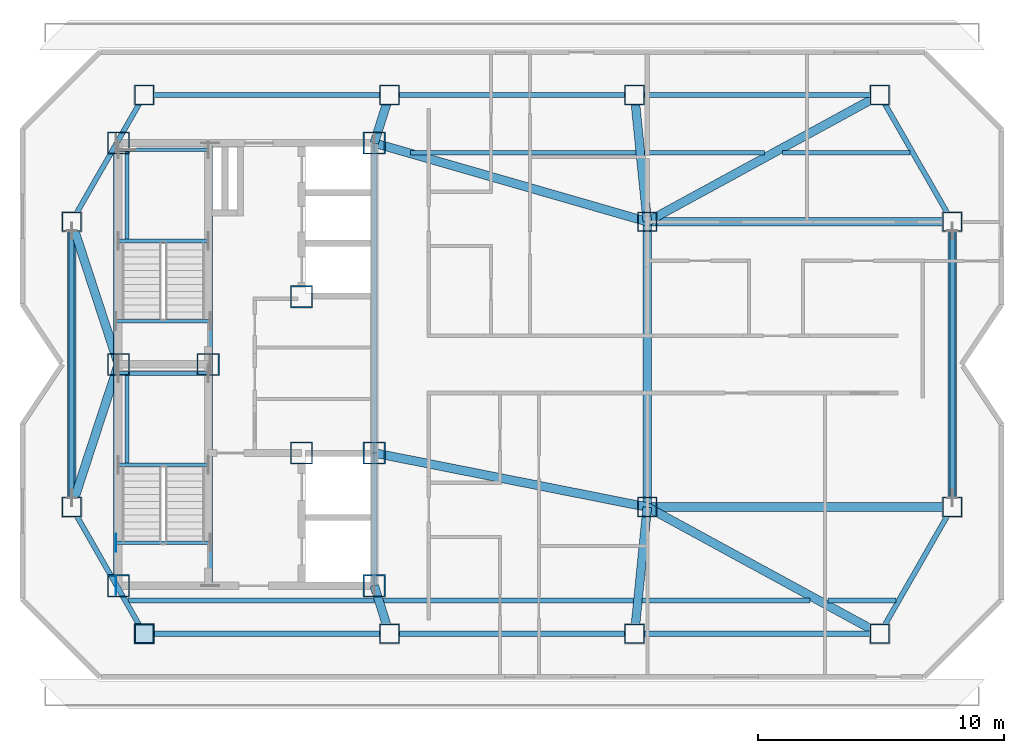
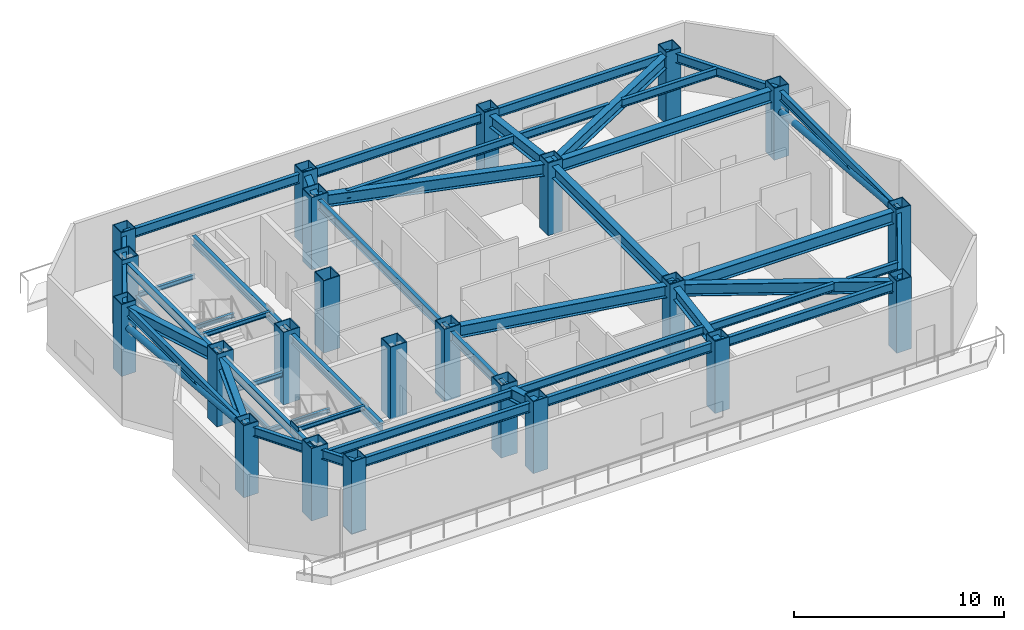
# One storey, part 1 of 12: 46 beams, 23 columns, 3 plates, 2 members.
"""IFC4 building model written with IfcOpenShell, lengths in metres."""

from ifc_helpers import new_model, si_unit, direction, frame, origin, origin_2d, place, context, subcontext, project, spatial, rectangle, hollow_rectangle, hollow_circle, i_section, extrude, material, layer, layer_set, material_profile, profile_set, type_object, element, save


model = new_model("IFC4")

# Units and contexts
model_context = context("Model", 3, precision=1e-05, world=origin(), true_north=direction((0.0, 1.0)))
body_context = subcontext(model_context, "Body", "Model", "MODEL_VIEW")
ifc_project = project(units=[si_unit("LENGTHUNIT", "METRE"), si_unit("AREAUNIT", "SQUARE_METRE"), si_unit("VOLUMEUNIT", "CUBIC_METRE"), si_unit("PLANEANGLEUNIT", "RADIAN"), si_unit("MASSUNIT", "GRAM", prefix="KILO")], contexts=[model_context])

# Site, building, storey
site_placement = place(None, origin())
site = spatial("IfcSite", under=ifc_project, at=site_placement, CompositionType="ELEMENT")
building_placement = place(site_placement, origin())
building = spatial("IfcBuilding", under=site, at=building_placement, Name="Khamvora Tower", CompositionType="ELEMENT")
storey_placement = place(building_placement, frame((0.0, 0.0, 286.25)))
storey = spatial("IfcBuildingStorey", under=building, at=storey_placement, Name="L73", CompositionType="ELEMENT", Elevation=286.25)

# Columns
ifc_material_1 = material(Name="Steel S355", Category="steel")
ifc_material_profile_1 = material_profile(ifc_material_1, hollow_rectangle(XDim=0.800048828125, YDim=0.800048828125, WallThickness=0.0400390625, at=origin_2d()), Name="BOX800x800x40")
ifc_profile_set_1 = profile_set([ifc_material_profile_1], Name="Steel S355")
column_type_1 = type_object("IfcColumnType", Name="COL-BOX800", PredefinedType="COLUMN", material=ifc_profile_set_1)
for number, where, z_axis, x_axis, name in (
    (1, (30.050048828125, 17.050048828125, 0.02490234375), (0.0, 0.0, 1.0), (1.0, 0.0, 0.0), "L73 structural frame column S1"),
    (2, (40.01708984375, 17.050048828125, 0.02490234375), (0.0, 0.0, 1.0), (1.0, 0.0, 0.0), "L73 structural frame column S2"),
    (3, (49.98291015625, 17.050048828125, 0.02490234375), (0.0, 0.0, 1.0), (1.0, 0.0, 0.0), "L73 structural frame column S3"),
    (4, (59.949951171875, 17.050048828125, 0.02490234375), (0.0, 0.0, 1.0), (1.0, 0.0, 0.0), "L73 structural frame column S4"),
    (5, (30.050048828125, 38.949951171875, 0.02490234375), (0.0, 0.0, 1.0), (1.0, 0.0, 0.0), "L73 structural frame column N1"),
    (6, (40.01708984375, 38.949951171875, 0.02490234375), (0.0, 0.0, 1.0), (1.0, 0.0, 0.0), "L73 structural frame column N2"),
    (7, (49.98291015625, 38.949951171875, 0.02490234375), (0.0, 0.0, 1.0), (1.0, 0.0, 0.0), "L73 structural frame column N3"),
    (8, (59.949951171875, 38.949951171875, 0.02490234375), (0.0, 0.0, 1.0), (1.0, 0.0, 0.0), "L73 structural frame column N4"),
    (9, (27.10009765625, 22.199951171875, 0.02490234375), (0.0, 0.0, 1.0), (1.0, 0.0, 0.0), "L73 structural frame column W1"),
    (10, (27.10009765625, 33.800048828125, 0.02490234375), (0.0, 0.0, 1.0), (1.0, 0.0, 0.0), "L73 structural frame column W2"),
    (11, (62.89990234375, 22.199951171875, 0.02490234375), (0.0, 0.0, 1.0), (1.0, 0.0, 0.0), "L73 structural frame column E1"),
    (12, (62.89990234375, 33.800048828125, 0.02490234375), (0.0, 0.0, 1.0), (1.0, 0.0, 0.0), "L73 structural frame column E2"),
):
    element("IfcColumn", number, at=place(storey_placement, frame(where, z_axis=z_axis, x_axis=x_axis)), inside=storey, type_object=column_type_1, Name=name, PredefinedType="COLUMN", context=body_context, shape_type="SweptSolid", body=[
        extrude(hollow_rectangle(XDim=0.800048828125, YDim=0.800048828125, WallThickness=0.0400390625, at=origin_2d()), origin(), (0.0, 0.0, 1.0), 4.175048828125),
    ])
for number, where, z_axis, x_axis, name in (
    (13, (50.5, 22.199951171875, 0.0), (0.0, 0.0, 1.0), (1.0, 0.0, 0.0), "L73 structural frame column M1"),
    (14, (50.5, 33.800048828125, 0.0), (0.0, 0.0, 1.0), (1.0, 0.0, 0.0), "L73 structural frame column M2"),
):
    element("IfcColumn", number, at=place(storey_placement, frame(where, z_axis=z_axis, x_axis=x_axis)), inside=storey, type_object=column_type_1, Name=name, PredefinedType="COLUMN", context=body_context, shape_type="SweptSolid", body=[
        extrude(hollow_rectangle(XDim=0.800048828125, YDim=0.800048828125, WallThickness=0.0400390625, at=origin_2d()), origin(), (0.0, 0.0, 1.0), 4.199951171875),
    ])
ifc_material_2 = material(Name="Structural Steel S460ML", Category="steel")
ifc_material_profile_2 = material_profile(ifc_material_2, hollow_rectangle(XDim=0.89990234375, YDim=0.89990234375, WallThickness=0.044921875, at=origin_2d()), Name="BOX900x900x45")
ifc_profile_set_2 = profile_set([ifc_material_profile_2], Name="Structural Steel S460ML")
column_type_2 = type_object("IfcColumnType", Name="COL-SC-BOX900", PredefinedType="COLUMN", material=ifc_profile_set_2)
for number, where, z_axis, x_axis, name in (
    (15, (29.0, 19.0, 0.0), (0.0, 0.0, 1.0), (1.0, 0.0, 0.0), "L73 plumb core spine column SC1"),
    (16, (32.64990234375, 28.0, 0.0), (0.0, 0.0, 1.0), (1.0, 0.0, 0.0), "L73 plumb core spine column SC2"),
    (17, (39.39990234375, 19.0, 0.0), (0.0, 0.0, 1.0), (1.0, 0.0, 0.0), "L73 plumb core spine column SC3"),
    (18, (29.0, 28.0, 0.0), (0.0, 0.0, 1.0), (1.0, 0.0, 0.0), "L73 plumb core spine column SC4"),
    (19, (36.449951171875, 24.39990234375, 0.0), (0.0, 0.0, 1.0), (1.0, 0.0, 0.0), "L73 plumb core spine column SC5"),
    (20, (39.39990234375, 24.39990234375, 0.0), (0.0, 0.0, 1.0), (1.0, 0.0, 0.0), "L73 plumb core spine column SC6"),
    (21, (29.0, 37.0, 0.0), (0.0, 0.0, 1.0), (1.0, 0.0, 0.0), "L73 plumb core spine column SC7"),
    (22, (36.449951171875, 30.75, 0.0), (0.0, 0.0, 1.0), (1.0, 0.0, 0.0), "L73 plumb core spine column SC8"),
    (23, (39.39990234375, 37.0, 0.0), (0.0, 0.0, 1.0), (1.0, 0.0, 0.0), "L73 plumb core spine column SC9"),
):
    element("IfcColumn", number, at=place(storey_placement, frame(where, z_axis=z_axis, x_axis=x_axis)), inside=storey, type_object=column_type_2, Name=name, PredefinedType="COLUMN", context=body_context, shape_type="SweptSolid", body=[
        extrude(hollow_rectangle(XDim=0.89990234375, YDim=0.89990234375, WallThickness=0.044921875, at=origin_2d()), origin(), (0.0, 0.0, 1.0), 4.199951171875),
    ])

# Beams
ifc_material_profile_3 = material_profile(ifc_material_1, i_section(OverallWidth=0.19189453125, OverallDepth=0.462890625, WebThickness=0.010986328125, FlangeThickness=0.01806640625, FilletRadius=0.011962890625, at=origin_2d()), Name="W460x89")
ifc_profile_set_3 = profile_set([ifc_material_profile_3], Name="Steel S355")
beam_type_1 = type_object("IfcBeamType", Name="BM-JS-W460x89", PredefinedType="JOIST", material=ifc_profile_set_3)
beam_1_placement = place(storey_placement, frame((29.39208984375, 18.39990234375, 3.718994140625), z_axis=(1.0, 0.0, 0.0), x_axis=(0.0, 1.0, 0.0)))
element("IfcBeam", 24, at=beam_1_placement, inside=storey, type_object=beam_type_1, Name="L73 secondary floor joist 01", PredefinedType="JOIST", context=body_context, shape_type="SweptSolid", body=[
    extrude(i_section(OverallWidth=0.19189453125, OverallDepth=0.462890625, WebThickness=0.010986328125, FlangeThickness=0.01806640625, FilletRadius=0.011962890625, at=origin_2d()), origin(), (0.0, 0.0, 1.0), 10.016845703125),
])
beam_2_placement = place(storey_placement, frame((39.77099609375, 18.39990234375, 3.718994140625), z_axis=(1.0, 0.0, 0.0), x_axis=(0.0, 1.0, 0.0)))
element("IfcBeam", 25, at=beam_2_placement, inside=storey, type_object=beam_type_1, Name="L73 secondary floor joist 02", PredefinedType="JOIST", context=body_context, shape_type="SweptSolid", body=[
    extrude(i_section(OverallWidth=0.19189453125, OverallDepth=0.462890625, WebThickness=0.010986328125, FlangeThickness=0.01806640625, FilletRadius=0.011962890625, at=origin_2d()), origin(), (0.0, 0.0, 1.0), 10.174072265625),
])
beam_3_placement = place(storey_placement, frame((50.2919921875, 18.39990234375, 3.718994140625), z_axis=(1.0, 0.0, 0.0), x_axis=(0.0, 1.0, 0.0)))
element("IfcBeam", 26, at=beam_3_placement, inside=storey, type_object=beam_type_1, Name="L73 secondary floor joist 03", PredefinedType="JOIST", context=body_context, shape_type="SweptSolid", body=[
    extrude(i_section(OverallWidth=0.19189453125, OverallDepth=0.462890625, WebThickness=0.010986328125, FlangeThickness=0.01806640625, FilletRadius=0.011962890625, at=origin_2d()), origin(), (0.0, 0.0, 1.0), 6.81494140625),
])
beam_4_placement = place(storey_placement, frame((57.839111328125, 18.39990234375, 3.718994140625), z_axis=(1.0, 0.0, 0.0), x_axis=(0.0, 1.0, 0.0)))
element("IfcBeam", 27, at=beam_4_placement, inside=storey, type_object=beam_type_1, Name="L73 secondary floor joist 04", PredefinedType="JOIST", context=body_context, shape_type="SweptSolid", body=[
    extrude(i_section(OverallWidth=0.19189453125, OverallDepth=0.462890625, WebThickness=0.010986328125, FlangeThickness=0.01806640625, FilletRadius=0.011962890625, at=origin_2d()), origin(), (0.0, 0.0, 1.0), 2.768798828125),
])
beam_5_placement = place(storey_placement, frame((40.882080078125, 36.60009765625, 3.718994140625), z_axis=(1.0, 0.0, 0.0), x_axis=(0.0, 1.0, 0.0)))
element("IfcBeam", 28, at=beam_5_placement, inside=storey, type_object=beam_type_1, Name="L73 secondary floor joist 05", PredefinedType="JOIST", context=body_context, shape_type="SweptSolid", body=[
    extrude(i_section(OverallWidth=0.19189453125, OverallDepth=0.462890625, WebThickness=0.010986328125, FlangeThickness=0.01806640625, FilletRadius=0.011962890625, at=origin_2d()), origin(), (0.0, 0.0, 1.0), 9.163818359375),
])
beam_6_placement = place(storey_placement, frame((50.39208984375, 36.60009765625, 3.718994140625), z_axis=(1.0, 0.0, 0.0), x_axis=(0.0, 1.0, 0.0)))
element("IfcBeam", 29, at=beam_6_placement, inside=storey, type_object=beam_type_1, Name="L73 secondary floor joist 06", PredefinedType="JOIST", context=body_context, shape_type="SweptSolid", body=[
    extrude(i_section(OverallWidth=0.19189453125, OverallDepth=0.462890625, WebThickness=0.010986328125, FlangeThickness=0.01806640625, FilletRadius=0.011962890625, at=origin_2d()), origin(), (0.0, 0.0, 1.0), 4.8798828125),
])
beam_7_placement = place(storey_placement, frame((56.00390625, 36.60009765625, 3.718994140625), z_axis=(1.0, 0.0, 0.0), x_axis=(0.0, 1.0, 0.0)))
element("IfcBeam", 30, at=beam_7_placement, inside=storey, type_object=beam_type_1, Name="L73 secondary floor joist 07", PredefinedType="JOIST", context=body_context, shape_type="SweptSolid", body=[
    extrude(i_section(OverallWidth=0.19189453125, OverallDepth=0.462890625, WebThickness=0.010986328125, FlangeThickness=0.01806640625, FilletRadius=0.011962890625, at=origin_2d()), origin(), (0.0, 0.0, 1.0), 5.177001953125),
])
ifc_material_profile_4 = material_profile(ifc_material_1, i_section(OverallWidth=0.14697265625, OverallDepth=0.261962890625, WebThickness=0.007080078125, FlangeThickness=0.010986328125, FilletRadius=0.008056640625, at=origin_2d()), Name="W250x39")
ifc_profile_set_4 = profile_set([ifc_material_profile_4], Name="Steel S355")
beam_type_2 = type_object("IfcBeamType", Name="BM-LN-W250x39", PredefinedType="LINTEL", material=ifc_profile_set_4)
for number, where, z_axis, x_axis, name in (
    (31, (29.0, 23.9150390625, 1.76904296875), (1.0, 0.0, 0.0), (0.0, 1.0, 0.0), "L73 ST-01 half-landing support beam 1.1"),
    (32, (29.0, 27.6298828125, 1.76904296875), (1.0, 0.0, 0.0), (0.0, 1.0, 0.0), "L73 ST-01 half-landing support beam 1.2"),
):
    element("IfcBeam", number, at=place(storey_placement, frame(where, z_axis=z_axis, x_axis=x_axis)), inside=storey, type_object=beam_type_2, Name=name, PredefinedType="LINTEL", context=body_context, shape_type="SweptSolid", body=[
        extrude(i_section(OverallWidth=0.14697265625, OverallDepth=0.261962890625, WebThickness=0.007080078125, FlangeThickness=0.010986328125, FilletRadius=0.008056640625, at=origin_2d()), origin(), (0.0, 0.0, 1.0), 3.64990234375),
    ])
beam_8_placement = place(storey_placement, frame((29.35009765625, 23.9150390625, 1.76904296875), z_axis=(0.0, 1.0, 0.0), x_axis=(-1.0, 0.0, 0.0)))
element("IfcBeam", 33, at=beam_8_placement, inside=storey, type_object=beam_type_2, Name="L73 ST-01 half-landing edge stringer 1", PredefinedType="LINTEL", context=body_context, shape_type="SweptSolid", body=[
    extrude(i_section(OverallWidth=0.14697265625, OverallDepth=0.261962890625, WebThickness=0.007080078125, FlangeThickness=0.010986328125, FilletRadius=0.008056640625, at=origin_2d()), origin(), (0.0, 0.0, 1.0), 3.71484375),
])
for number, where, z_axis, x_axis, name in (
    (34, (29.0, 33.014892578125, 1.76904296875), (1.0, 0.0, 0.0), (0.0, 1.0, 0.0), "L73 ST-02 half-landing support beam 1.1"),
    (35, (29.0, 36.72998046875, 1.76904296875), (1.0, 0.0, 0.0), (0.0, 1.0, 0.0), "L73 ST-02 half-landing support beam 1.2"),
):
    element("IfcBeam", number, at=place(storey_placement, frame(where, z_axis=z_axis, x_axis=x_axis)), inside=storey, type_object=beam_type_2, Name=name, PredefinedType="LINTEL", context=body_context, shape_type="SweptSolid", body=[
        extrude(i_section(OverallWidth=0.14697265625, OverallDepth=0.261962890625, WebThickness=0.007080078125, FlangeThickness=0.010986328125, FilletRadius=0.008056640625, at=origin_2d()), origin(), (0.0, 0.0, 1.0), 3.64990234375),
    ])
beam_9_placement = place(storey_placement, frame((29.35009765625, 33.014892578125, 1.76904296875), z_axis=(0.0, 1.0, 0.0), x_axis=(-1.0, 0.0, 0.0)))
element("IfcBeam", 36, at=beam_9_placement, inside=storey, type_object=beam_type_2, Name="L73 ST-02 half-landing edge stringer 1", PredefinedType="LINTEL", context=body_context, shape_type="SweptSolid", body=[
    extrude(i_section(OverallWidth=0.14697265625, OverallDepth=0.261962890625, WebThickness=0.007080078125, FlangeThickness=0.010986328125, FilletRadius=0.008056640625, at=origin_2d()), origin(), (0.0, 0.0, 1.0), 3.715087890625),
])
for number, where, z_axis, x_axis, name in (
    (37, (28.89990234375, 20.75, 3.823974609375), (1.0, 0.0, 0.0), (0.0, 1.0, 0.0), "L73 exit stair ST-01 landing trimmer beam"),
    (38, (28.89990234375, 29.75, 3.823974609375), (1.0, 0.0, 0.0), (0.0, 1.0, 0.0), "L73 exit stair ST-02 landing trimmer beam"),
):
    element("IfcBeam", number, at=place(storey_placement, frame(where, z_axis=z_axis, x_axis=x_axis)), inside=storey, type_object=beam_type_2, Name=name, PredefinedType="LINTEL", context=body_context, shape_type="SweptSolid", body=[
        extrude(i_section(OverallWidth=0.14697265625, OverallDepth=0.261962890625, WebThickness=0.007080078125, FlangeThickness=0.010986328125, FilletRadius=0.008056640625, at=origin_2d()), origin(), (0.0, 0.0, 1.0), 3.830078125),
    ])
ifc_material_profile_5 = material_profile(ifc_material_1, i_section(OverallWidth=0.35498046875, OverallDepth=0.695068359375, WebThickness=0.014892578125, FlangeThickness=0.02490234375, FilletRadius=0.01611328125, at=origin_2d()), Name="W690x217")
ifc_profile_set_5 = profile_set([ifc_material_profile_5], Name="Steel S355")
beam_type_3 = type_object("IfcBeamType", Name="BM-PG-W690x217", PredefinedType="BEAM", material=ifc_profile_set_5)
beam_10_placement = place(storey_placement, frame((50.5, 22.199951171875, 3.60205078125), z_axis=(0.0, 1.0, 0.0), x_axis=(-1.0, 0.0, 0.0)))
element("IfcBeam", 39, at=beam_10_placement, inside=storey, type_object=beam_type_3, Name="L73 longitudinal frame girder M1-M2", PredefinedType="BEAM", context=body_context, shape_type="SweptSolid", body=[
    extrude(i_section(OverallWidth=0.35498046875, OverallDepth=0.695068359375, WebThickness=0.014892578125, FlangeThickness=0.02490234375, FilletRadius=0.01611328125, at=origin_2d()), origin(), (0.0, 0.0, 1.0), 11.60009765625),
])
beam_11_placement = place(storey_placement, frame((39.39990234375, 19.0, 3.60205078125), z_axis=(0.301759708026, -0.953384014242, 0.0), x_axis=(0.953384014242, 0.301759708026, 0.0)))
element("IfcBeam", 40, at=beam_11_placement, inside=storey, type_object=beam_type_3, Name="L73 primary floor girder S2", PredefinedType="BEAM", context=body_context, shape_type="SweptSolid", body=[
    extrude(i_section(OverallWidth=0.35498046875, OverallDepth=0.695068359375, WebThickness=0.014892578125, FlangeThickness=0.02490234375, FilletRadius=0.01611328125, at=origin_2d()), origin(), (0.0, 0.0, 1.0), 2.04541015625),
])
beam_12_placement = place(storey_placement, frame((50.5, 22.199951171875, 3.60205078125), z_axis=(-0.09990535362, -0.994996944879, 0.0), x_axis=(0.994996944879, -0.09990535362, 0.0)))
element("IfcBeam", 41, at=beam_12_placement, inside=storey, type_object=beam_type_3, Name="L73 primary floor girder S3", PredefinedType="BEAM", context=body_context, shape_type="SweptSolid", body=[
    extrude(i_section(OverallWidth=0.35498046875, OverallDepth=0.695068359375, WebThickness=0.014892578125, FlangeThickness=0.02490234375, FilletRadius=0.01611328125, at=origin_2d()), origin(), (0.0, 0.0, 1.0), 5.17578125),
])
beam_13_placement = place(storey_placement, frame((50.5, 22.199951171875, 3.60205078125), z_axis=(0.878075836292, -0.478521499748, 0.0), x_axis=(0.478521499748, 0.878075836292, 0.0)))
element("IfcBeam", 42, at=beam_13_placement, inside=storey, type_object=beam_type_3, Name="L73 primary floor girder S4", PredefinedType="BEAM", context=body_context, shape_type="SweptSolid", body=[
    extrude(i_section(OverallWidth=0.35498046875, OverallDepth=0.695068359375, WebThickness=0.014892578125, FlangeThickness=0.02490234375, FilletRadius=0.01611328125, at=origin_2d()), origin(), (0.0, 0.0, 1.0), 10.76220703125),
])
beam_14_placement = place(storey_placement, frame((39.39990234375, 37.0, 3.60205078125), z_axis=(0.301759708026, 0.953384014242, 0.0), x_axis=(-0.953384014242, 0.301759708026, 0.0)))
element("IfcBeam", 43, at=beam_14_placement, inside=storey, type_object=beam_type_3, Name="L73 primary floor girder N2", PredefinedType="BEAM", context=body_context, shape_type="SweptSolid", body=[
    extrude(i_section(OverallWidth=0.35498046875, OverallDepth=0.695068359375, WebThickness=0.014892578125, FlangeThickness=0.02490234375, FilletRadius=0.01611328125, at=origin_2d()), origin(), (0.0, 0.0, 1.0), 2.04541015625),
])
beam_15_placement = place(storey_placement, frame((50.5, 33.800048828125, 3.60205078125), z_axis=(-0.09990535362, 0.994996944879, 0.0), x_axis=(-0.994996944879, -0.09990535362, 0.0)))
element("IfcBeam", 44, at=beam_15_placement, inside=storey, type_object=beam_type_3, Name="L73 primary floor girder N3", PredefinedType="BEAM", context=body_context, shape_type="SweptSolid", body=[
    extrude(i_section(OverallWidth=0.35498046875, OverallDepth=0.695068359375, WebThickness=0.014892578125, FlangeThickness=0.02490234375, FilletRadius=0.01611328125, at=origin_2d()), origin(), (0.0, 0.0, 1.0), 5.17578125),
])
beam_16_placement = place(storey_placement, frame((50.5, 33.800048828125, 3.60205078125), z_axis=(0.878075836292, 0.478521499748, 0.0), x_axis=(-0.478521499748, 0.878075836292, 0.0)))
element("IfcBeam", 45, at=beam_16_placement, inside=storey, type_object=beam_type_3, Name="L73 primary floor girder N4", PredefinedType="BEAM", context=body_context, shape_type="SweptSolid", body=[
    extrude(i_section(OverallWidth=0.35498046875, OverallDepth=0.695068359375, WebThickness=0.014892578125, FlangeThickness=0.02490234375, FilletRadius=0.01611328125, at=origin_2d()), origin(), (0.0, 0.0, 1.0), 10.76220703125),
])
for number, where, z_axis, x_axis, name in (
    (46, (29.0, 28.0, 3.60205078125), (-0.31129131303, -0.950314536578, 0.0), (0.950314536578, -0.31129131303, 0.0), "L73 primary floor girder W1"),
    (47, (29.0, 28.0, 3.60205078125), (-0.31129131303, 0.950314536578, 0.0), (-0.950314536578, -0.31129131303, 0.0), "L73 primary floor girder W2"),
):
    element("IfcBeam", number, at=place(storey_placement, frame(where, z_axis=z_axis, x_axis=x_axis)), inside=storey, type_object=beam_type_3, Name=name, PredefinedType="BEAM", context=body_context, shape_type="SweptSolid", body=[
        extrude(i_section(OverallWidth=0.35498046875, OverallDepth=0.695068359375, WebThickness=0.014892578125, FlangeThickness=0.02490234375, FilletRadius=0.01611328125, at=origin_2d()), origin(), (0.0, 0.0, 1.0), 6.103271484375),
    ])
for number, where, z_axis, x_axis, name in (
    (48, (50.5, 22.199951171875, 3.60205078125), (1.0, 0.0, 0.0), (0.0, 1.0, 0.0), "L73 primary floor girder E1"),
    (49, (50.5, 33.800048828125, 3.60205078125), (1.0, 0.0, 0.0), (0.0, 1.0, 0.0), "L73 primary floor girder E2"),
):
    element("IfcBeam", number, at=place(storey_placement, frame(where, z_axis=z_axis, x_axis=x_axis)), inside=storey, type_object=beam_type_3, Name=name, PredefinedType="BEAM", context=body_context, shape_type="SweptSolid", body=[
        extrude(i_section(OverallWidth=0.35498046875, OverallDepth=0.695068359375, WebThickness=0.014892578125, FlangeThickness=0.02490234375, FilletRadius=0.01611328125, at=origin_2d()), origin(), (0.0, 0.0, 1.0), 12.39990234375),
    ])
beam_17_placement = place(storey_placement, frame((39.39990234375, 24.39990234375, 3.60205078125), z_axis=(0.980920240909, -0.194410598927, 0.0), x_axis=(0.194410598927, 0.980920240909, 0.0)))
element("IfcBeam", 50, at=beam_17_placement, inside=storey, type_object=beam_type_3, Name="L73 primary floor girder M1", PredefinedType="BEAM", context=body_context, shape_type="SweptSolid", body=[
    extrude(i_section(OverallWidth=0.35498046875, OverallDepth=0.695068359375, WebThickness=0.014892578125, FlangeThickness=0.02490234375, FilletRadius=0.01611328125, at=origin_2d()), origin(), (0.0, 0.0, 1.0), 11.31591796875),
])
beam_18_placement = place(storey_placement, frame((39.39990234375, 37.0, 3.60205078125), z_axis=(0.960869684076, -0.277000812677, 0.0), x_axis=(0.277000812677, 0.960869684076, 0.0)))
element("IfcBeam", 51, at=beam_18_placement, inside=storey, type_object=beam_type_3, Name="L73 primary floor girder M2", PredefinedType="BEAM", context=body_context, shape_type="SweptSolid", body=[
    extrude(i_section(OverallWidth=0.35498046875, OverallDepth=0.695068359375, WebThickness=0.014892578125, FlangeThickness=0.02490234375, FilletRadius=0.01611328125, at=origin_2d()), origin(), (0.0, 0.0, 1.0), 11.55224609375),
])
ifc_material_profile_6 = material_profile(ifc_material_1, i_section(OverallWidth=0.208984375, OverallDepth=0.532958984375, WebThickness=0.010009765625, FlangeThickness=0.01611328125, FilletRadius=0.013916015625, at=origin_2d()), Name="W530x92")
ifc_profile_set_6 = profile_set([ifc_material_profile_6], Name="Steel S355")
beam_type_4 = type_object("IfcBeamType", Name="BM-SP-W530x92", PredefinedType="SPANDREL", material=ifc_profile_set_6)
beam_19_placement = place(storey_placement, frame((27.10009765625, 22.199951171875, 3.68310546875), z_axis=(0.497046824242, -0.86772372015, 0.0), x_axis=(0.86772372015, 0.497046824242, 0.0)))
element("IfcBeam", 52, at=beam_19_placement, inside=storey, type_object=beam_type_4, Name="L73 perimeter spandrel beam W1-S1", PredefinedType="SPANDREL", context=body_context, shape_type="SweptSolid", body=[
    extrude(i_section(OverallWidth=0.208984375, OverallDepth=0.532958984375, WebThickness=0.010009765625, FlangeThickness=0.01611328125, FilletRadius=0.013916015625, at=origin_2d()), origin(), (0.0, 0.0, 1.0), 5.93505859375),
])
beam_20_placement = place(storey_placement, frame((30.050048828125, 17.050048828125, 3.68310546875), z_axis=(1.0, 0.0, 0.0), x_axis=(0.0, 1.0, 0.0)))
element("IfcBeam", 53, at=beam_20_placement, inside=storey, type_object=beam_type_4, Name="L73 perimeter spandrel beam S1-S2", PredefinedType="SPANDREL", context=body_context, shape_type="SweptSolid", body=[
    extrude(i_section(OverallWidth=0.208984375, OverallDepth=0.532958984375, WebThickness=0.010009765625, FlangeThickness=0.01611328125, FilletRadius=0.013916015625, at=origin_2d()), origin(), (0.0, 0.0, 1.0), 9.967041015625),
])
beam_21_placement = place(storey_placement, frame((40.01708984375, 17.050048828125, 3.68310546875), z_axis=(1.0, 0.0, 0.0), x_axis=(0.0, 1.0, 0.0)))
element("IfcBeam", 54, at=beam_21_placement, inside=storey, type_object=beam_type_4, Name="L73 perimeter spandrel beam S2-S3", PredefinedType="SPANDREL", context=body_context, shape_type="SweptSolid", body=[
    extrude(i_section(OverallWidth=0.208984375, OverallDepth=0.532958984375, WebThickness=0.010009765625, FlangeThickness=0.01611328125, FilletRadius=0.013916015625, at=origin_2d()), origin(), (0.0, 0.0, 1.0), 9.9658203125),
])
beam_22_placement = place(storey_placement, frame((49.98291015625, 17.050048828125, 3.68310546875), z_axis=(1.0, 0.0, 0.0), x_axis=(0.0, 1.0, 0.0)))
element("IfcBeam", 55, at=beam_22_placement, inside=storey, type_object=beam_type_4, Name="L73 perimeter spandrel beam S3-S4", PredefinedType="SPANDREL", context=body_context, shape_type="SweptSolid", body=[
    extrude(i_section(OverallWidth=0.208984375, OverallDepth=0.532958984375, WebThickness=0.010009765625, FlangeThickness=0.01611328125, FilletRadius=0.013916015625, at=origin_2d()), origin(), (0.0, 0.0, 1.0), 9.967041015625),
])
beam_23_placement = place(storey_placement, frame((59.949951171875, 17.050048828125, 3.68310546875), z_axis=(0.497046824242, 0.86772372015, 0.0), x_axis=(-0.86772372015, 0.497046824242, 0.0)))
element("IfcBeam", 56, at=beam_23_placement, inside=storey, type_object=beam_type_4, Name="L73 perimeter spandrel beam S4-E1", PredefinedType="SPANDREL", context=body_context, shape_type="SweptSolid", body=[
    extrude(i_section(OverallWidth=0.208984375, OverallDepth=0.532958984375, WebThickness=0.010009765625, FlangeThickness=0.01611328125, FilletRadius=0.013916015625, at=origin_2d()), origin(), (0.0, 0.0, 1.0), 5.93505859375),
])
beam_24_placement = place(storey_placement, frame((62.89990234375, 22.199951171875, 3.68310546875), z_axis=(0.0, 1.0, 0.0), x_axis=(-1.0, 0.0, 0.0)))
element("IfcBeam", 57, at=beam_24_placement, inside=storey, type_object=beam_type_4, Name="L73 perimeter spandrel beam E1-E2", PredefinedType="SPANDREL", context=body_context, shape_type="SweptSolid", body=[
    extrude(i_section(OverallWidth=0.208984375, OverallDepth=0.532958984375, WebThickness=0.010009765625, FlangeThickness=0.01611328125, FilletRadius=0.013916015625, at=origin_2d()), origin(), (0.0, 0.0, 1.0), 11.60009765625),
])
beam_25_placement = place(storey_placement, frame((62.89990234375, 33.800048828125, 3.68310546875), z_axis=(-0.497046824242, 0.86772372015, 0.0), x_axis=(-0.86772372015, -0.497046824242, 0.0)))
element("IfcBeam", 58, at=beam_25_placement, inside=storey, type_object=beam_type_4, Name="L73 perimeter spandrel beam E2-N4", PredefinedType="SPANDREL", context=body_context, shape_type="SweptSolid", body=[
    extrude(i_section(OverallWidth=0.208984375, OverallDepth=0.532958984375, WebThickness=0.010009765625, FlangeThickness=0.01611328125, FilletRadius=0.013916015625, at=origin_2d()), origin(), (0.0, 0.0, 1.0), 5.93505859375),
])
beam_26_placement = place(storey_placement, frame((59.949951171875, 38.949951171875, 3.68310546875), z_axis=(-1.0, 0.0, 0.0), x_axis=(0.0, -1.0, 0.0)))
element("IfcBeam", 59, at=beam_26_placement, inside=storey, type_object=beam_type_4, Name="L73 perimeter spandrel beam N4-N3", PredefinedType="SPANDREL", context=body_context, shape_type="SweptSolid", body=[
    extrude(i_section(OverallWidth=0.208984375, OverallDepth=0.532958984375, WebThickness=0.010009765625, FlangeThickness=0.01611328125, FilletRadius=0.013916015625, at=origin_2d()), origin(), (0.0, 0.0, 1.0), 9.967041015625),
])
beam_27_placement = place(storey_placement, frame((49.98291015625, 38.949951171875, 3.68310546875), z_axis=(-1.0, 0.0, 0.0), x_axis=(0.0, -1.0, 0.0)))
element("IfcBeam", 60, at=beam_27_placement, inside=storey, type_object=beam_type_4, Name="L73 perimeter spandrel beam N3-N2", PredefinedType="SPANDREL", context=body_context, shape_type="SweptSolid", body=[
    extrude(i_section(OverallWidth=0.208984375, OverallDepth=0.532958984375, WebThickness=0.010009765625, FlangeThickness=0.01611328125, FilletRadius=0.013916015625, at=origin_2d()), origin(), (0.0, 0.0, 1.0), 9.9658203125),
])
beam_28_placement = place(storey_placement, frame((40.01708984375, 38.949951171875, 3.68310546875), z_axis=(-1.0, 0.0, 0.0), x_axis=(0.0, -1.0, 0.0)))
element("IfcBeam", 61, at=beam_28_placement, inside=storey, type_object=beam_type_4, Name="L73 perimeter spandrel beam N2-N1", PredefinedType="SPANDREL", context=body_context, shape_type="SweptSolid", body=[
    extrude(i_section(OverallWidth=0.208984375, OverallDepth=0.532958984375, WebThickness=0.010009765625, FlangeThickness=0.01611328125, FilletRadius=0.013916015625, at=origin_2d()), origin(), (0.0, 0.0, 1.0), 9.967041015625),
])
beam_29_placement = place(storey_placement, frame((30.050048828125, 38.949951171875, 3.68310546875), z_axis=(-0.497046824242, -0.86772372015, 0.0), x_axis=(0.86772372015, -0.497046824242, 0.0)))
element("IfcBeam", 62, at=beam_29_placement, inside=storey, type_object=beam_type_4, Name="L73 perimeter spandrel beam N1-W2", PredefinedType="SPANDREL", context=body_context, shape_type="SweptSolid", body=[
    extrude(i_section(OverallWidth=0.208984375, OverallDepth=0.532958984375, WebThickness=0.010009765625, FlangeThickness=0.01611328125, FilletRadius=0.013916015625, at=origin_2d()), origin(), (0.0, 0.0, 1.0), 5.93505859375),
])
beam_30_placement = place(storey_placement, frame((27.10009765625, 33.800048828125, 3.68310546875), z_axis=(0.0, -1.0, 0.0), x_axis=(1.0, 0.0, 0.0)))
element("IfcBeam", 63, at=beam_30_placement, inside=storey, type_object=beam_type_4, Name="L73 perimeter spandrel beam W2-W1", PredefinedType="SPANDREL", context=body_context, shape_type="SweptSolid", body=[
    extrude(i_section(OverallWidth=0.208984375, OverallDepth=0.532958984375, WebThickness=0.010009765625, FlangeThickness=0.01611328125, FilletRadius=0.013916015625, at=origin_2d()), origin(), (0.0, 0.0, 1.0), 11.60009765625),
])
for number, where, z_axis, x_axis, name in (
    (64, (28.89990234375, 19.0, 3.68310546875), (0.0, 1.0, 0.0), (-1.0, 0.0, 0.0), "L73 core spine girder WS"),
    (65, (28.89990234375, 28.0, 3.68310546875), (0.0, 1.0, 0.0), (-1.0, 0.0, 0.0), "L73 core spine girder WN"),
    (66, (32.72998046875, 19.0, 3.68310546875), (0.0, 1.0, 0.0), (-1.0, 0.0, 0.0), "L73 core spine girder M1S"),
    (67, (32.72998046875, 28.0, 3.68310546875), (0.0, 1.0, 0.0), (-1.0, 0.0, 0.0), "L73 core spine girder M1N"),
):
    element("IfcBeam", number, at=place(storey_placement, frame(where, z_axis=z_axis, x_axis=x_axis)), inside=storey, type_object=beam_type_4, Name=name, PredefinedType="SPANDREL", context=body_context, shape_type="SweptSolid", body=[
        extrude(i_section(OverallWidth=0.208984375, OverallDepth=0.532958984375, WebThickness=0.010009765625, FlangeThickness=0.01611328125, FilletRadius=0.013916015625, at=origin_2d()), origin(), (0.0, 0.0, 1.0), 9.0),
    ])
beam_31_placement = place(storey_placement, frame((39.39990234375, 19.0, 3.68310546875), z_axis=(0.0, 1.0, 0.0), x_axis=(-1.0, 0.0, 0.0)))
element("IfcBeam", 68, at=beam_31_placement, inside=storey, type_object=beam_type_4, Name="L73 core spine girder ES", PredefinedType="SPANDREL", context=body_context, shape_type="SweptSolid", body=[
    extrude(i_section(OverallWidth=0.208984375, OverallDepth=0.532958984375, WebThickness=0.010009765625, FlangeThickness=0.01611328125, FilletRadius=0.013916015625, at=origin_2d()), origin(), (0.0, 0.0, 1.0), 5.39990234375),
])
beam_32_placement = place(storey_placement, frame((39.39990234375, 24.39990234375, 3.68310546875), z_axis=(0.0, 1.0, 0.0), x_axis=(-1.0, 0.0, 0.0)))
element("IfcBeam", 69, at=beam_32_placement, inside=storey, type_object=beam_type_4, Name="L73 core spine girder EN", PredefinedType="SPANDREL", context=body_context, shape_type="SweptSolid", body=[
    extrude(i_section(OverallWidth=0.208984375, OverallDepth=0.532958984375, WebThickness=0.010009765625, FlangeThickness=0.01611328125, FilletRadius=0.013916015625, at=origin_2d()), origin(), (0.0, 0.0, 1.0), 12.60009765625),
])

# Members
ifc_material_profile_7 = material_profile(ifc_material_1, hollow_circle(Radius=0.177978515625, WallThickness=0.013916015625, at=origin_2d()), Name="CHS356x14")
ifc_profile_set_7 = profile_set([ifc_material_profile_7], Name="Steel S355")
member_type = type_object("IfcMemberType", Name="MEM-BR-CHS356", PredefinedType="BRACE", material=ifc_profile_set_7)
for number, where, z_axis, x_axis, name in (
    (70, (27.10009765625, 33.4208984375, 2.712890625), (0.0, -0.996286077329, 0.086104890218), (1.0, 0.0, 0.0), "L73 perimeter wind brace 1"),
    (71, (62.89990234375, 33.4208984375, 2.712890625), (0.0, -0.996286077329, 0.086104890218), (1.0, 0.0, 0.0), "L73 perimeter wind brace 2"),
):
    element("IfcMember", number, at=place(storey_placement, frame(where, z_axis=z_axis, x_axis=x_axis)), inside=storey, type_object=member_type, Name=name, PredefinedType="BRACE", context=body_context, shape_type="SweptSolid", body=[
        extrude(hollow_circle(Radius=0.177978515625, WallThickness=0.013916015625, at=origin_2d()), origin(), (0.0, 0.0, 1.0), 10.88232421875),
    ])

# Plates
ifc_layer_1 = layer(ifc_material_1, 0.02490234375)
ifc_layer_set_1 = layer_set([ifc_layer_1], Name="Steel S355")
plate_type_1 = type_object("IfcPlateType", Name="PL-CAP-25", PredefinedType="SHEET", material=ifc_layer_set_1)
plate_placement = place(storey_placement, frame((30.050048828125, 17.050048828125, -0.00048828125), z_axis=(0.0, 0.0, 1.0), x_axis=(1.0, 0.0, 0.0)))
element("IfcPlate", 72, at=plate_placement, inside=storey, type_object=plate_type_1, Name="L73 hollow section steel end cap plate 0310", PredefinedType="SHEET", context=body_context, shape_type="SweptSolid", body=[
    extrude(rectangle(XDim=0.830078125, YDim=0.830078125, at=origin_2d()), origin(), (0.0, 0.0, 1.0), 0.02490234375),
])
ifc_material_3 = material(Name="Steel S460", Category="steel")
ifc_layer_2 = layer(ifc_material_3, 0.034912109375)
ifc_layer_set_2 = layer_set([ifc_layer_2], Name="Steel S460")
plate_type_2 = type_object("IfcPlateType", Name="PL-EMB-35", PredefinedType="SHEET", material=ifc_layer_set_2)
for number, where, z_axis, x_axis, name in (
    (73, (28.89990234375, 19.0, 3.3232421875), (0.0, 0.0, 1.0), (1.0, 0.0, 0.0), "L73 core shear wall cast-in embed plate 2150"),
    (74, (28.89990234375, 20.75, 3.4638671875), (0.0, 0.0, 1.0), (1.0, 0.0, 0.0), "L73 core shear wall cast-in embed plate 2156"),
):
    element("IfcPlate", number, at=place(storey_placement, frame(where, z_axis=z_axis, x_axis=x_axis)), inside=storey, type_object=plate_type_2, Name=name, PredefinedType="SHEET", context=body_context, shape_type="SweptSolid", body=[
        extrude(rectangle(XDim=0.034912109375, YDim=0.719970703125, at=origin_2d()), origin(), (0.0, 0.0, 1.0), 0.719970703125),
    ])

save(model, "model.ifc")
